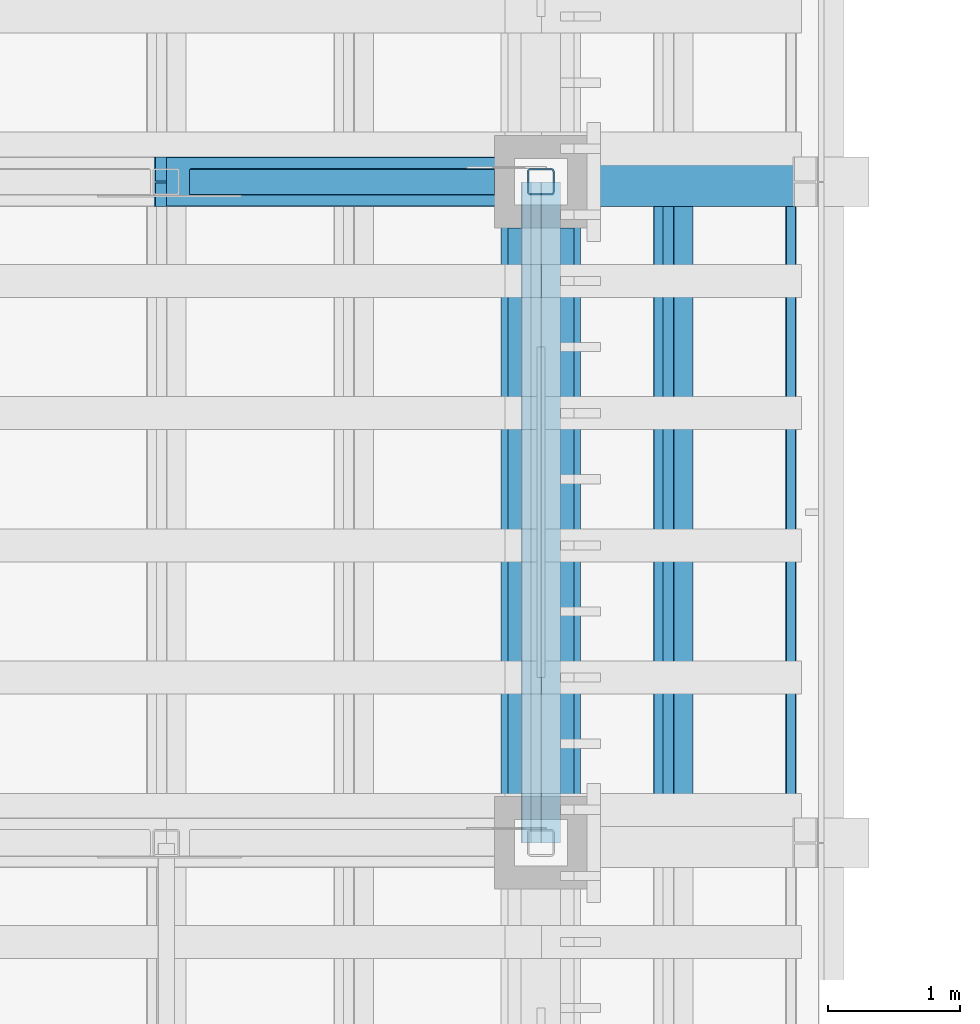
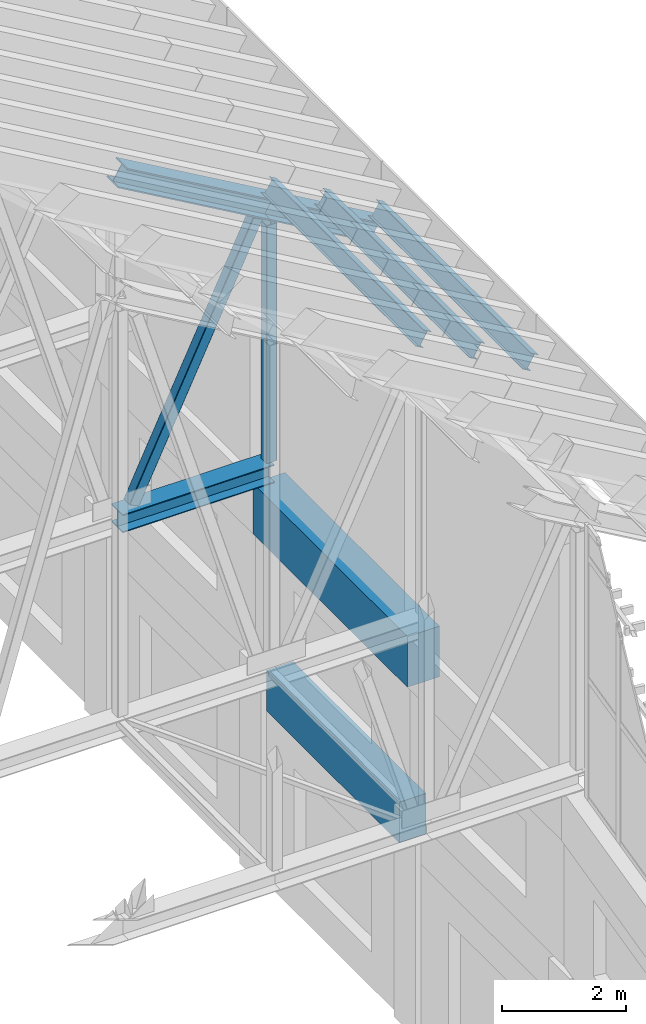
# One storey, part 16 of 105: 8 members, 2 beams.
"""IFC4 building model written with IfcOpenShell, lengths in metres."""

from ifc_helpers import new_model, si_unit, direction, frame, origin, origin_2d, place, context, subcontext, project, spatial, rectangle, hollow_rectangle, i_section, extrude, material, material_profile, profile_set, type_object, element, save


model = new_model("IFC4")

# Units and contexts
model_context = context("Model", 3, precision=1e-05, world=origin(), true_north=direction((0.0, 1.0)))
body_context = subcontext(model_context, "Body", "Model", "MODEL_VIEW")
ifc_project = project(units=[si_unit("LENGTHUNIT", "METRE"), si_unit("AREAUNIT", "SQUARE_METRE"), si_unit("VOLUMEUNIT", "CUBIC_METRE"), si_unit("PLANEANGLEUNIT", "RADIAN"), si_unit("MASSUNIT", "GRAM", prefix="KILO")], contexts=[model_context])

# Site, building, storey
site_placement = place(None, origin())
site = spatial("IfcSite", under=ifc_project, at=site_placement, CompositionType="ELEMENT")
building_placement = place(site_placement, origin())
building = spatial("IfcBuilding", under=site, at=building_placement, Name="Wasatch Bagh Community Centre", CompositionType="ELEMENT")
storey_placement = place(building_placement, frame((0.0, 0.0, 16.800048828125)))
storey = spatial("IfcBuildingStorey", under=building, at=storey_placement, Name="L04", CompositionType="ELEMENT", Elevation=16.800048828125)

# Members
ifc_material_1 = material(Name="ASTM A500 Grade C steel", Category="steel")
ifc_material_profile_1 = material_profile(ifc_material_1, hollow_rectangle(XDim=0.203125, YDim=0.203125, WallThickness=0.01171875, InnerFilletRadius=0.01171875, OuterFilletRadius=0.023681640625, at=origin_2d()), Name="HSS8x8x1/2")
ifc_profile_set_1 = profile_set([ifc_material_profile_1], Name="ASTM A500 Grade C steel")
member_type_1 = type_object("IfcMemberType", Name="HSS8x8x1/2 post", PredefinedType="POST", material=ifc_profile_set_1)
member_1_placement = place(storey_placement, frame((54.75, 45.0, 8.070556640625), z_axis=(0.0, 0.0, 1.0), x_axis=(1.0, 0.0, 0.0)))
element("IfcMember", 1, at=member_1_placement, inside=storey, type_object=member_type_1, Name="MH.TA3.PS16", PredefinedType="POST", context=body_context, shape_type="SweptSolid", body=[
    extrude(hollow_rectangle(XDim=0.203125, YDim=0.203125, WallThickness=0.01171875, InnerFilletRadius=0.01171875, OuterFilletRadius=0.023681640625, at=origin_2d()), origin(), (0.0, 0.0, 1.0), 4.690673828125),
])
ifc_material_profile_2 = material_profile(ifc_material_1, hollow_rectangle(XDim=0.203125, YDim=0.203125, WallThickness=0.0087890625, InnerFilletRadius=0.0087890625, OuterFilletRadius=0.017822265625, at=origin_2d()), Name="HSS8x8x3/8")
ifc_profile_set_2 = profile_set([ifc_material_profile_2], Name="ASTM A500 Grade C steel")
member_type_2 = type_object("IfcMemberType", Name="HSS8x8x3/8 brace", PredefinedType="BRACE", material=ifc_profile_set_2)
member_2_placement = place(storey_placement, frame((52.182373046875, 45.0, 8.11474609375), z_axis=(0.429834746182, 0.0, 0.902907576098), x_axis=(0.0, 1.0, 0.0)))
element("IfcMember", 2, at=member_2_placement, inside=storey, type_object=member_type_2, Name="MH.TA3.WB15", PredefinedType="BRACE", context=body_context, shape_type="SweptSolid", body=[
    extrude(hollow_rectangle(XDim=0.203125, YDim=0.203125, WallThickness=0.0087890625, InnerFilletRadius=0.0087890625, OuterFilletRadius=0.017822265625, at=origin_2d()), origin(), (0.0, 0.0, 1.0), 5.36962890625),
])

# Beams
ifc_material_2 = material(Name="Concrete C35", Category="concrete")
ifc_material_profile_3 = material_profile(ifc_material_2, rectangle(XDim=0.5, YDim=0.800048828125, at=origin_2d()), Name="RC 500x800")
ifc_profile_set_3 = profile_set([ifc_material_profile_3], Name="Concrete C35")
beam_type_1 = type_object("IfcBeamType", Name="MH ring beam RC 500x800", PredefinedType="BEAM", material=ifc_profile_set_3)
beam_1_placement = place(storey_placement, frame((54.75, 40.3505859375, 3.800048828125), z_axis=(0.0, 1.0, 0.0), x_axis=(-1.0, 0.0, 0.0)))
element("IfcBeam", 3, at=beam_1_placement, inside=storey, type_object=beam_type_1, Name="Ring beam 21.0 E2-E3", PredefinedType="BEAM", context=body_context, shape_type="SweptSolid", body=[
    extrude(rectangle(XDim=0.5, YDim=0.800048828125, at=origin_2d()), origin(), (0.0, 0.0, 1.0), 4.298828125),
])
ifc_material_profile_4 = material_profile(ifc_material_2, rectangle(XDim=0.60009765625, YDim=1.0, at=origin_2d()), Name="RC 600x1000")
ifc_profile_set_4 = profile_set([ifc_material_profile_4], Name="Concrete C35")
beam_type_2 = type_object("IfcBeamType", Name="MH ring beam RC 600x1000", PredefinedType="BEAM", material=ifc_profile_set_4)
beam_2_placement = place(storey_placement, frame((54.75, 40.0, 7.199951171875), z_axis=(0.0, 1.0, 0.0), x_axis=(-1.0, 0.0, 0.0)))
element("IfcBeam", 4, at=beam_2_placement, inside=storey, type_object=beam_type_2, Name="Ring beam 24.5 E2-E3", PredefinedType="BEAM", context=body_context, shape_type="SweptSolid", body=[
    extrude(rectangle(XDim=0.60009765625, YDim=1.0, at=origin_2d()), origin(), (0.0, 0.0, 1.0), 5.0),
])

# Members
ifc_material_3 = material(Name="ASTM A992 Grade 50 steel", Category="steel")
ifc_material_profile_5 = material_profile(ifc_material_3, i_section(OverallWidth=0.164794921875, OverallDepth=0.309814453125, WebThickness=0.005859375, FlangeThickness=0.009765625, at=origin_2d()), Name="W12x26")
ifc_profile_set_5 = profile_set([ifc_material_profile_5], Name="ASTM A992 Grade 50 steel")
member_type_3 = type_object("IfcMemberType", Name="W12x26 purlin", PredefinedType="PURLIN", material=ifc_profile_set_5)
for number, where, z_axis, x_axis, name in (
    (5, (54.75, 40.0, 13.471435546875), (0.0, 1.0, 0.0), (-0.866025403784, 0.0, 0.5), "MH.TA2-TA3.PU32"),
    (6, (55.75, 40.0, 12.89404296875), (0.0, 1.0, 0.0), (-0.866025403784, 0.0, 0.5), "MH.TA2-TA3.PU33"),
    (7, (56.75, 40.0, 12.316650390625), (0.0, 1.0, 0.0), (-0.866025403784, 0.0, 0.5), "MH.TA2-TA3.PU34"),
):
    element("IfcMember", number, at=place(storey_placement, frame(where, z_axis=z_axis, x_axis=x_axis)), inside=storey, type_object=member_type_3, Name=name, PredefinedType="PURLIN", context=body_context, shape_type="SweptSolid", body=[
        extrude(i_section(OverallWidth=0.164794921875, OverallDepth=0.309814453125, WebThickness=0.005859375, FlangeThickness=0.009765625, at=origin_2d()), origin(), (0.0, 0.0, 1.0), 5.0),
    ])
ifc_material_profile_6 = material_profile(ifc_material_3, i_section(OverallWidth=0.373291015625, OverallDepth=0.368408203125, WebThickness=0.014892578125, FlangeThickness=0.02392578125, at=origin_2d()), Name="W14x120")
ifc_profile_set_6 = profile_set([ifc_material_profile_6], Name="ASTM A992 Grade 50 steel")
member_type_4 = type_object("IfcMemberType", Name="W14x120 chord", PredefinedType="CHORD", material=ifc_profile_set_6)
member_3_placement = place(storey_placement, frame((51.9169921875, 45.0, 14.71533203125), z_axis=(0.866038908564, 0.0, -0.499976608306), x_axis=(0.0, 1.0, 0.0)))
element("IfcMember", 8, at=member_3_placement, inside=storey, type_object=member_type_4, Name="MH.TA3.TC17", PredefinedType="CHORD", context=body_context, shape_type="SweptSolid", body=[
    extrude(i_section(OverallWidth=0.373291015625, OverallDepth=0.368408203125, WebThickness=0.014892578125, FlangeThickness=0.02392578125, at=origin_2d()), origin(), (0.0, 0.0, 1.0), 3.270751953125),
])
member_4_placement = place(storey_placement, frame((54.75048828125, 45.0, 13.07958984375), z_axis=(0.866002450397, 0.0, -0.500039754326), x_axis=(0.0, 1.0, 0.0)))
element("IfcMember", 9, at=member_4_placement, inside=storey, type_object=member_type_4, Name="MH.TA3.TC18", PredefinedType="CHORD", context=body_context, shape_type="SweptSolid", body=[
    extrude(i_section(OverallWidth=0.373291015625, OverallDepth=0.368408203125, WebThickness=0.014892578125, FlangeThickness=0.02392578125, at=origin_2d()), origin(), (0.0, 0.0, 1.0), 2.308837890625),
])
ifc_material_profile_7 = material_profile(ifc_material_3, i_section(OverallWidth=0.368408203125, OverallDepth=0.355712890625, WebThickness=0.01123046875, FlangeThickness=0.01806640625, at=origin_2d()), Name="W14x90")
ifc_profile_set_7 = profile_set([ifc_material_profile_7], Name="ASTM A992 Grade 50 steel")
member_type_5 = type_object("IfcMemberType", Name="W14x90 chord", PredefinedType="CHORD", material=ifc_profile_set_7)
member_5_placement = place(storey_placement, frame((51.916748046875, 45.0, 7.892822265625), z_axis=(1.0, 0.0, 0.0), x_axis=(0.0, 1.0, 0.0)))
element("IfcMember", 10, at=member_5_placement, inside=storey, type_object=member_type_5, Name="MH.TA3.BC15", PredefinedType="CHORD", context=body_context, shape_type="SweptSolid", body=[
    extrude(i_section(OverallWidth=0.368408203125, OverallDepth=0.355712890625, WebThickness=0.01123046875, FlangeThickness=0.01806640625, at=origin_2d()), origin(), (0.0, 0.0, 1.0), 2.833251953125),
])

save(model, "model.ifc")
